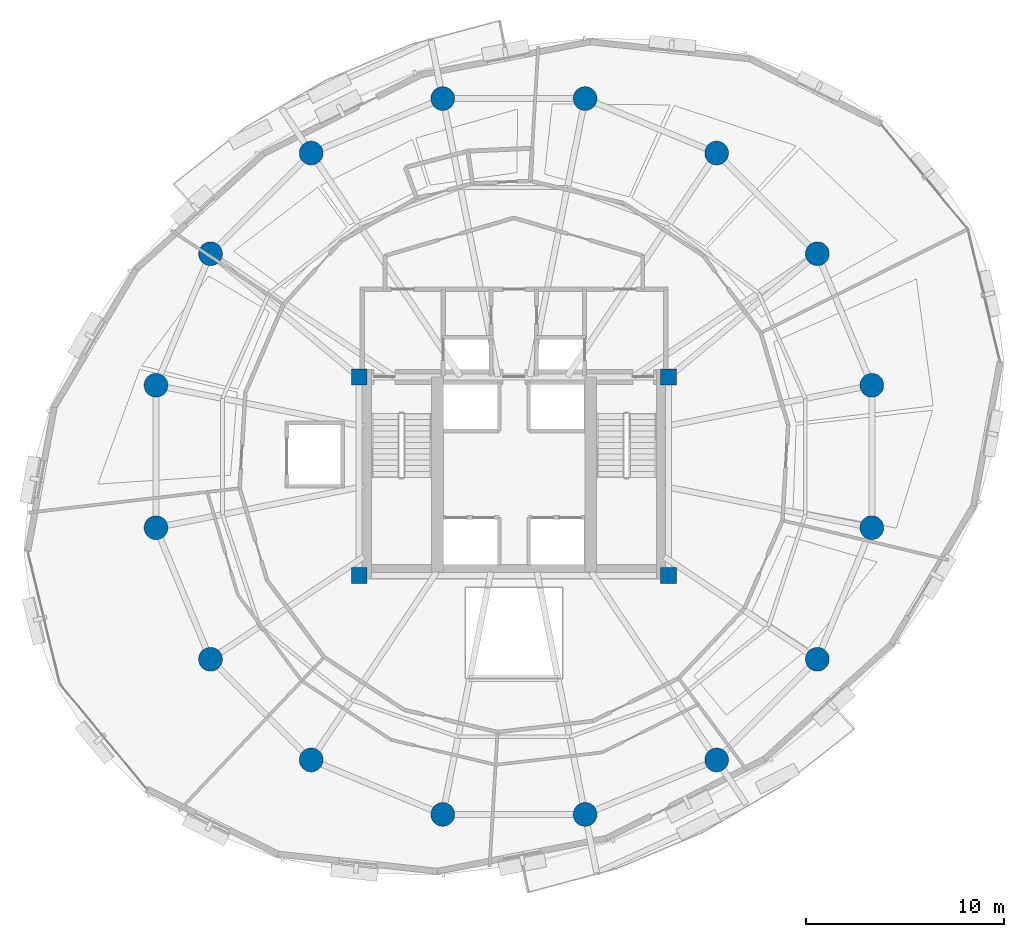
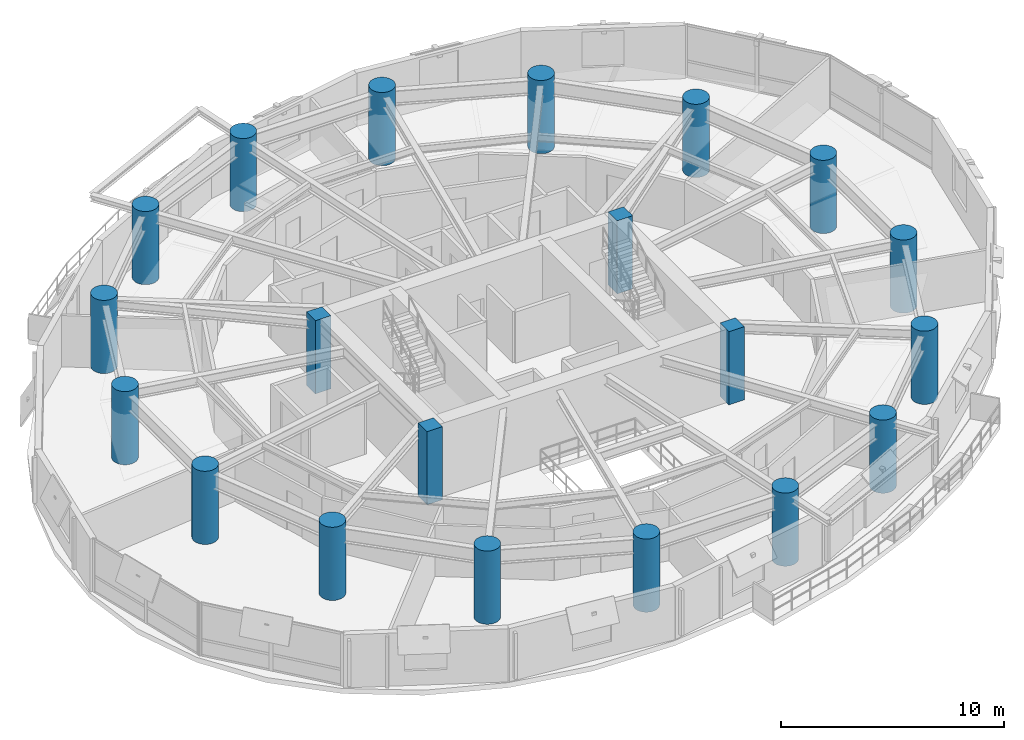
# One storey, part 1 of 14: 20 columns.
"""IFC4 building model written with IfcOpenShell, lengths in metres."""

from ifc_helpers import new_model, si_unit, direction, frame, origin, origin_2d, place, context, subcontext, project, spatial, rectangle, circle, extrude, material, material_profile, profile_set, type_object, element, save


model = new_model("IFC4")

# Units and contexts
model_context = context("Model", 3, precision=1e-05, world=origin(), true_north=direction((0.0, 1.0)))
body_context = subcontext(model_context, "Body", "Model", "MODEL_VIEW")
ifc_project = project(units=[si_unit("LENGTHUNIT", "METRE"), si_unit("AREAUNIT", "SQUARE_METRE"), si_unit("VOLUMEUNIT", "CUBIC_METRE"), si_unit("PLANEANGLEUNIT", "RADIAN"), si_unit("MASSUNIT", "GRAM", prefix="KILO"), si_unit("THERMODYNAMICTEMPERATUREUNIT", "KELVIN"), si_unit("POWERUNIT", "WATT")], contexts=[model_context])

# Site, building, storey
site_placement = place(None, origin())
site = spatial("IfcSite", under=ifc_project, at=site_placement, CompositionType="ELEMENT")
building_placement = place(site_placement, origin())
building = spatial("IfcBuilding", under=site, at=building_placement, Name="Ocrelia Relay Tower", CompositionType="ELEMENT")
storey_placement = place(building_placement, frame((0.0, 0.0, 145.800048828125)))
storey = spatial("IfcBuildingStorey", under=building, at=storey_placement, Name="L34", CompositionType="ELEMENT", Elevation=145.800048828125)

# Columns
ifc_material = material(Name="Concrete C60/75", Category="concrete")
ifc_material_profile_1 = material_profile(ifc_material, circle(Radius=0.60009765625, at=origin_2d()), Name="RC-CIR-1200")
ifc_profile_set_1 = profile_set([ifc_material_profile_1], Name="Concrete C60/75")
column_type_1 = type_object("IfcColumnType", Name="COL-CT-1200", PredefinedType="COLUMN", material=ifc_profile_set_1)
for number, where, z_axis, x_axis, name in (
    (1, (52.04638671875, 29.589599609375, 0.0), (0.0, 0.0, 1.0), (1.0, 0.0, 0.0), "L34 Perimeter Ring Column C01"),
    (2, (49.299072265625, 36.222412109375, 0.0), (0.0, 0.0, 1.0), (1.0, 0.0, 0.0), "L34 Perimeter Ring Column C02"),
    (3, (44.222412109375, 41.299072265625, 0.0), (0.0, 0.0, 1.0), (1.0, 0.0, 0.0), "L34 Perimeter Ring Column C03"),
    (4, (37.589599609375, 44.04638671875, 0.0), (0.0, 0.0, 1.0), (1.0, 0.0, 0.0), "L34 Perimeter Ring Column C04"),
    (5, (30.410400390625, 44.04638671875, 0.0), (0.0, 0.0, 1.0), (1.0, 0.0, 0.0), "L34 Perimeter Ring Column C05"),
    (6, (23.777587890625, 41.299072265625, 0.0), (0.0, 0.0, 1.0), (1.0, 0.0, 0.0), "L34 Perimeter Ring Column C06"),
    (7, (18.700927734375, 36.222412109375, 0.0), (0.0, 0.0, 1.0), (1.0, 0.0, 0.0), "L34 Perimeter Ring Column C07"),
    (8, (15.95361328125, 29.589599609375, 0.0), (0.0, 0.0, 1.0), (1.0, 0.0, 0.0), "L34 Perimeter Ring Column C08"),
    (9, (15.95361328125, 22.410400390625, 0.0), (0.0, 0.0, 1.0), (1.0, 0.0, 0.0), "L34 Perimeter Ring Column C09"),
    (10, (18.700927734375, 15.777587890625, 0.0), (0.0, 0.0, 1.0), (1.0, 0.0, 0.0), "L34 Perimeter Ring Column C10"),
    (11, (23.777587890625, 10.700927734375, 0.0), (0.0, 0.0, 1.0), (1.0, 0.0, 0.0), "L34 Perimeter Ring Column C11"),
    (12, (30.410400390625, 7.95361328125, 0.0), (0.0, 0.0, 1.0), (1.0, 0.0, 0.0), "L34 Perimeter Ring Column C12"),
    (13, (37.589599609375, 7.95361328125, 0.0), (0.0, 0.0, 1.0), (1.0, 0.0, 0.0), "L34 Perimeter Ring Column C13"),
    (14, (44.222412109375, 10.700927734375, 0.0), (0.0, 0.0, 1.0), (1.0, 0.0, 0.0), "L34 Perimeter Ring Column C14"),
    (15, (49.299072265625, 15.777587890625, 0.0), (0.0, 0.0, 1.0), (1.0, 0.0, 0.0), "L34 Perimeter Ring Column C15"),
    (16, (52.04638671875, 22.410400390625, 0.0), (0.0, 0.0, 1.0), (1.0, 0.0, 0.0), "L34 Perimeter Ring Column C16"),
):
    element("IfcColumn", number, at=place(storey_placement, frame(where, z_axis=z_axis, x_axis=x_axis)), inside=storey, type_object=column_type_1, Name=name, PredefinedType="COLUMN", context=body_context, shape_type="SweptSolid", body=[
        extrude(circle(Radius=0.60009765625, at=origin_2d()), origin(), (0.0, 0.0, 1.0), 4.0),
    ])
ifc_material_profile_2 = material_profile(ifc_material, rectangle(XDim=0.800048828125, YDim=0.800048828125, at=origin_2d()), Name="RC-COL-800x800")
ifc_profile_set_2 = profile_set([ifc_material_profile_2], Name="Concrete C60/75")
column_type_2 = type_object("IfcColumnType", Name="COL-PILASTER-800", PredefinedType="PILASTER", material=ifc_profile_set_2)
for number, where, z_axis, x_axis, name in (
    (17, (26.199951171875, 20.0, 0.0), (0.0, 0.0, 1.0), (1.0, 0.0, 0.0), "L34 Core Corner Pilaster SW"),
    (18, (41.800048828125, 20.0, 0.0), (0.0, 0.0, 1.0), (1.0, 0.0, 0.0), "L34 Core Corner Pilaster SE"),
    (19, (26.199951171875, 30.0, 0.0), (0.0, 0.0, 1.0), (1.0, 0.0, 0.0), "L34 Core Corner Pilaster NW"),
    (20, (41.800048828125, 30.0, 0.0), (0.0, 0.0, 1.0), (1.0, 0.0, 0.0), "L34 Core Corner Pilaster NE"),
):
    element("IfcColumn", number, at=place(storey_placement, frame(where, z_axis=z_axis, x_axis=x_axis)), inside=storey, type_object=column_type_2, Name=name, PredefinedType="PILASTER", context=body_context, shape_type="SweptSolid", body=[
        extrude(rectangle(XDim=0.800048828125, YDim=0.800048828125, at=origin_2d()), origin(), (0.0, 0.0, 1.0), 4.0),
    ])

save(model, "model.ifc")
